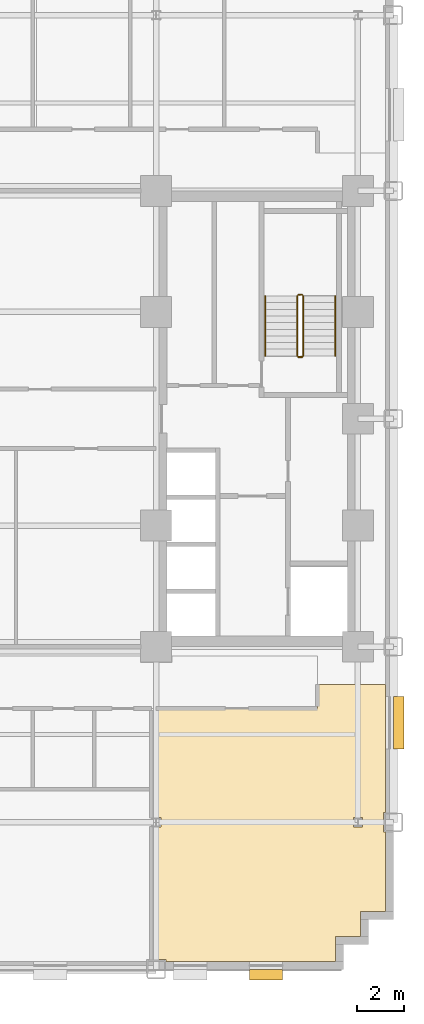
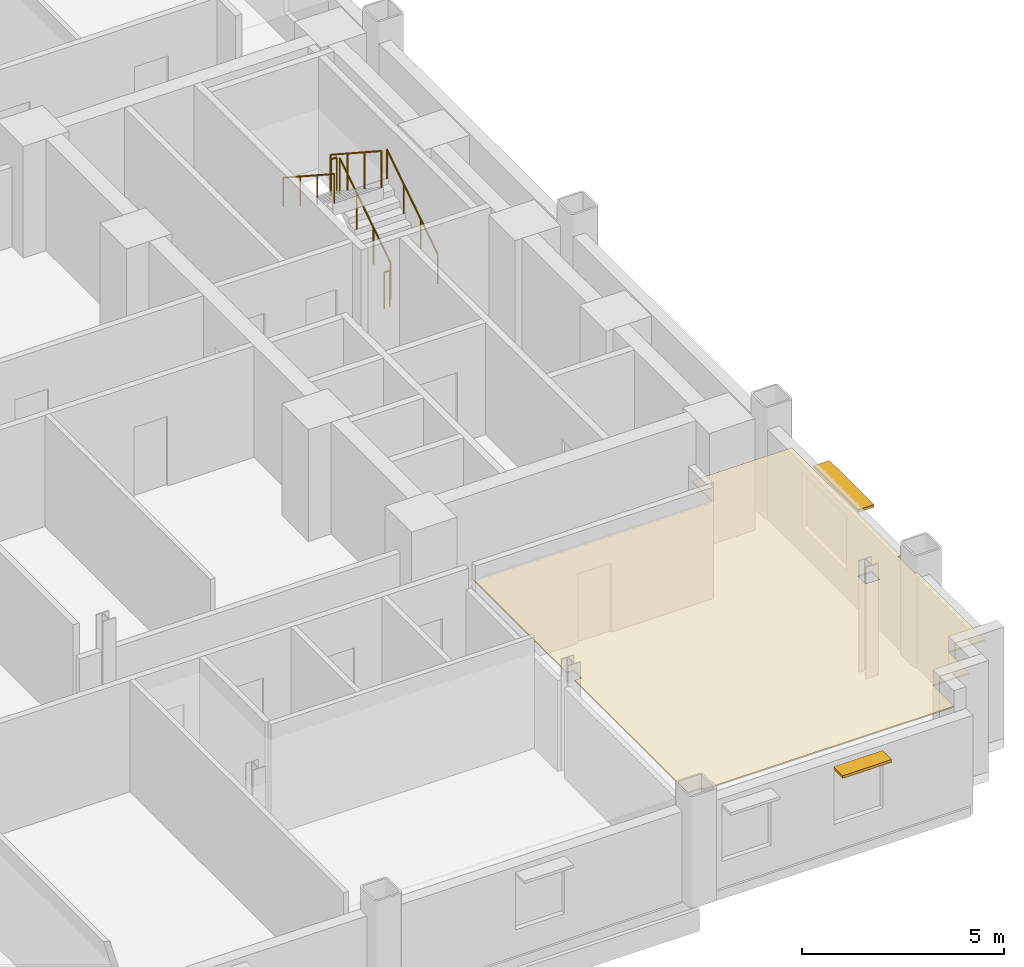
# One storey, part 11 of 12: 6 railings, 2 shading devices, 1 covering.
"""IFC4 building model written with IfcOpenShell, lengths in metres."""

from ifc_helpers import new_model, si_unit, direction, frame, origin, origin_2d, place, context, subcontext, project, spatial, polyline, rectangle, circle, outline, extrude, source, transform, mapped, material, layer, layer_set, type_object, type_shapes, element, save


model = new_model("IFC4")

# Units and contexts
model_context = context("Model", 3, precision=1e-05, world=origin(), true_north=direction((0.0, 1.0)))
body_context = subcontext(model_context, "Body", "Model", "MODEL_VIEW")
ifc_project = project(units=[si_unit("LENGTHUNIT", "METRE"), si_unit("AREAUNIT", "SQUARE_METRE"), si_unit("VOLUMEUNIT", "CUBIC_METRE"), si_unit("PLANEANGLEUNIT", "RADIAN"), si_unit("MASSUNIT", "GRAM", prefix="KILO")], contexts=[model_context])

# Site, building, storey
site_placement = place(None, origin())
site = spatial("IfcSite", under=ifc_project, at=site_placement, CompositionType="ELEMENT")
building_placement = place(site_placement, origin())
building = spatial("IfcBuilding", under=site, at=building_placement, Name="Nuvemarco Arch Tower", CompositionType="ELEMENT")
storey_placement = place(building_placement, frame((0.0, 0.0, 31.25)))
storey = spatial("IfcBuildingStorey", under=building, at=storey_placement, Name="L07", CompositionType="ELEMENT", Elevation=31.25)

# Covering
ifc_material_1 = material(Name="Mineral acoustic ceiling tile")
ifc_layer = layer(ifc_material_1, 0.0400390625, Name="COV-ACOUSTIC-CLG")
ifc_layer_set = layer_set([ifc_layer], Name="Mineral acoustic ceiling tile")
covering_type = type_object("IfcCoveringType", Name="COV-ACOUSTIC-CLG", PredefinedType="CEILING", material=ifc_layer_set)
covering_placement = place(storey_placement, frame((0.0, 0.0, 2.85009765625)))
element("IfcCovering", 1, at=covering_placement, inside=storey, type_object=covering_type, Name="L07 suspended acoustic ceiling 2", PredefinedType="CEILING", context=body_context, shape_type="SweptSolid", body=[
    extrude(outline(polyline([(16.56005859375, -22.860107421875), (9.4150390625, -22.860107421875), (9.4150390625, -22.784912109375), (9.0, -22.784912109375), (9.0, -17.195068359375), (9.195068359375, -17.195068359375), (9.195068359375, -16.804931640625), (9.0, -16.804931640625), (9.0, -12.199951171875), (15.800048828125, -12.199951171875), (15.800048828125, -11.199951171875), (18.659912109375, -11.199951171875), (18.659912109375, -16.5849609375), (18.5849609375, -16.5849609375), (18.5849609375, -17.4150390625), (18.659912109375, -17.4150390625), (18.659912109375, -20.760009765625), (17.610107421875, -20.760009765625), (17.610107421875, -21.81005859375), (16.56005859375, -21.81005859375), (16.56005859375, -22.860107421875)]), holes=[polyline([(17.695068359375, -17.195068359375), (17.695068359375, -16.804931640625), (17.304931640625, -16.804931640625), (17.304931640625, -17.195068359375), (17.695068359375, -17.195068359375)])]), origin(), (0.0, 0.0, 1.0), 0.039794921875),
])

# Railings
ifc_material_2 = material(Name="Brushed stainless steel handrail", Category="steel")
railing_type_1 = type_object("IfcRailingType", Name="RL-HANDRAIL-900", PredefinedType="HANDRAIL", material=ifc_material_2)
railing_1_placement = place(storey_placement, frame((16.550048828125, 2.64990234375, 0.1826171875)))
element("IfcRailing", 2, at=railing_1_placement, inside=storey, type_object=railing_type_1, Name="L07 ST-2 stair handrail 1", PredefinedType="HANDRAIL", context=body_context, shape_type="SweptSolid", body=[
    extrude(circle(Radius=0.02392578125, at=origin_2d()), frame((0.0, 0.0, 0.8759765625), z_axis=(0.0, 0.837786554691, 0.545997883492), x_axis=(-1.0, 0.0, 0.0)), (0.0, 0.0, 1.0), 3.008056640625),
    extrude(circle(Radius=0.02099609375, at=origin_2d()), origin(), (0.0, 0.0, 1.0), 0.851806640625),
    extrude(circle(Radius=0.02099609375, at=origin_2d()), frame((0.0, 0.840087890625, 0.54736328125)), (0.0, 0.0, 1.0), 0.851806640625),
    extrude(circle(Radius=0.02099609375, at=origin_2d()), frame((0.0, 1.679931640625, 1.094970703125)), (0.0, 0.0, 1.0), 0.851806640625),
    extrude(circle(Radius=0.02099609375, at=origin_2d()), frame((0.0, 2.52001953125, 1.642333984375)), (0.0, 0.0, 1.0), 0.851806640625),
])
railing_2_placement = place(storey_placement, frame((13.590087890625, 5.169921875, 2.007568359375)))
element("IfcRailing", 3, at=railing_2_placement, inside=storey, type_object=railing_type_1, Name="L07 ST-2 stair handrail 2", PredefinedType="HANDRAIL", context=body_context, shape_type="SweptSolid", body=[
    extrude(circle(Radius=0.02392578125, at=origin_2d()), frame((0.0, 0.0, 0.8759765625), z_axis=(0.0, -0.837786554691, 0.545997883492), x_axis=(1.0, 0.0, 0.0)), (0.0, 0.0, 1.0), 3.008056640625),
    extrude(circle(Radius=0.02099609375, at=origin_2d()), origin(), (0.0, 0.0, 1.0), 0.851806640625),
    extrude(circle(Radius=0.02099609375, at=origin_2d()), frame((0.0, -0.840087890625, 0.54736328125)), (0.0, 0.0, 1.0), 0.851806640625),
    extrude(circle(Radius=0.02099609375, at=origin_2d()), frame((0.0, -1.679931640625, 1.094970703125)), (0.0, 0.0, 1.0), 0.851806640625),
    extrude(circle(Radius=0.02099609375, at=origin_2d()), frame((0.0, -2.52001953125, 1.642333984375)), (0.0, 0.0, 1.0), 0.851806640625),
])
ifc_material_3 = material(Name="Painted balustrade steel S355", Category="steel")
railing_type_2 = type_object("IfcRailingType", Name="RL-STAIR-GUARD", PredefinedType="GUARDRAIL", material=ifc_material_3)
railing_3_placement = place(storey_placement, frame((15.199951171875, 2.64990234375, 0.1826171875)))
element("IfcRailing", 4, at=railing_3_placement, inside=storey, type_object=railing_type_2, Name="L07 ST-2 stair guard 1", PredefinedType="GUARDRAIL", context=body_context, shape_type="SweptSolid", body=[
    extrude(circle(Radius=0.02392578125, at=origin_2d()), frame((0.0, 0.0, 1.09619140625), z_axis=(0.0, 0.837786554691, 0.545997883492), x_axis=(-1.0, 0.0, 0.0)), (0.0, 0.0, 1.0), 3.008056640625),
    extrude(circle(Radius=0.02099609375, at=origin_2d()), origin(), (0.0, 0.0, 1.0), 1.072021484375),
    extrude(circle(Radius=0.02099609375, at=origin_2d()), frame((0.0, 0.840087890625, 0.54736328125)), (0.0, 0.0, 1.0), 1.072021484375),
    extrude(circle(Radius=0.02099609375, at=origin_2d()), frame((0.0, 1.679931640625, 1.094970703125)), (0.0, 0.0, 1.0), 1.072021484375),
    extrude(circle(Radius=0.02099609375, at=origin_2d()), frame((0.0, 2.52001953125, 1.642333984375)), (0.0, 0.0, 1.0), 1.072021484375),
])
railing_4_placement = place(storey_placement, frame((15.14990234375, 5.219970703125, 1.824951171875)))
element("IfcRailing", 5, at=railing_4_placement, inside=storey, type_object=railing_type_2, Name="L07 ST-2 stair guard 2", PredefinedType="GUARDRAIL", context=body_context, shape_type="SweptSolid", body=[
    extrude(circle(Radius=0.02392578125, at=origin_2d()), frame((0.0, 0.0, 1.09619140625), z_axis=(-1.0, 0.0, 0.0), x_axis=(0.0, -1.0, 0.0)), (0.0, 0.0, 1.0), 0.159912109375),
    extrude(circle(Radius=0.02099609375, at=origin_2d()), origin(), (0.0, 0.0, 1.0), 1.072021484375),
    extrude(circle(Radius=0.02099609375, at=origin_2d()), frame((-0.159912109375, 0.0, 0.0)), (0.0, 0.0, 1.0), 1.072021484375),
])
railing_5_placement = place(storey_placement, frame((14.93994140625, 5.169921875, 2.007568359375)))
element("IfcRailing", 6, at=railing_5_placement, inside=storey, type_object=railing_type_2, Name="L07 ST-2 stair guard 3", PredefinedType="GUARDRAIL", context=body_context, shape_type="SweptSolid", body=[
    extrude(circle(Radius=0.02392578125, at=origin_2d()), frame((0.0, 0.0, 1.09619140625), z_axis=(0.0, -0.837786554691, 0.545997883492), x_axis=(1.0, 0.0, 0.0)), (0.0, 0.0, 1.0), 3.008056640625),
    extrude(circle(Radius=0.02099609375, at=origin_2d()), origin(), (0.0, 0.0, 1.0), 1.072021484375),
    extrude(circle(Radius=0.02099609375, at=origin_2d()), frame((0.0, -0.840087890625, 0.54736328125)), (0.0, 0.0, 1.0), 1.072021484375),
    extrude(circle(Radius=0.02099609375, at=origin_2d()), frame((0.0, -1.679931640625, 1.094970703125)), (0.0, 0.0, 1.0), 1.072021484375),
    extrude(circle(Radius=0.02099609375, at=origin_2d()), frame((0.0, -2.52001953125, 1.642333984375)), (0.0, 0.0, 1.0), 1.072021484375),
])
railing_6_placement = place(storey_placement, frame((15.14990234375, 2.60009765625, 0.0)))
element("IfcRailing", 7, at=railing_6_placement, inside=storey, type_object=railing_type_2, Name="L07 ST-2 stair guard 4", PredefinedType="GUARDRAIL", context=body_context, shape_type="SweptSolid", body=[
    extrude(circle(Radius=0.02392578125, at=origin_2d()), frame((0.0, 0.0, 1.09619140625), z_axis=(-1.0, 0.0, 0.0), x_axis=(0.0, -1.0, 0.0)), (0.0, 0.0, 1.0), 0.159912109375),
    extrude(circle(Radius=0.02099609375, at=origin_2d()), origin(), (0.0, 0.0, 1.0), 1.072021484375),
    extrude(circle(Radius=0.02099609375, at=origin_2d()), frame((-0.159912109375, 0.0, 0.0)), (0.0, 0.0, 1.0), 1.072021484375),
])

# Shading devices
ifc_material_4 = material(Name="Anodised aluminium 6063-T6", Category="aluminium")
shading_device_type_1 = type_object("IfcShadingDeviceType", Name="SHD-BRISE-SOLEIL", PredefinedType="USERDEFINED", material=ifc_material_4)
shared_shape_1 = source(origin(), body_context, "Body", "SweptSolid", [
    extrude(rectangle(XDim=2.199951171875, YDim=0.449951171875, at=origin_2d()), origin(), (0.0, 0.0, 1.0), 0.080078125),
])
type_shapes(shading_device_type_1, [shared_shape_1])
shading_device_1_placement = place(storey_placement, frame((19.215087890625, -12.802490234375, 2.455078125), z_axis=(0.0, 0.0, 1.0), x_axis=(0.0, 1.0, 0.0)))
element("IfcShadingDevice", 8, at=shading_device_1_placement, inside=storey, type_object=shading_device_type_1, Name="L07 horizontal brise-soleil sunshade", ObjectType="SUNSHADE", PredefinedType="USERDEFINED", context=body_context, shape_type="MappedRepresentation", body=[
    mapped(shared_shape_1, transform((0.0, 0.0, 0.0), scale=1.0)),
])
shading_device_type_2 = type_object("IfcShadingDeviceType", Name="SHD-BRISE-NARROW", PredefinedType="USERDEFINED", material=ifc_material_4)
shared_shape_2 = source(origin(), body_context, "Body", "SweptSolid", [
    extrude(rectangle(XDim=1.39990234375, YDim=0.449951171875, at=origin_2d()), origin(), (0.0, 0.0, 1.0), 0.080078125),
])
type_shapes(shading_device_type_2, [shared_shape_2])
shading_device_2_placement = place(storey_placement, frame((13.628662109375, -23.4150390625, 2.455078125), z_axis=(0.0, 0.0, 1.0), x_axis=(1.0, 0.0, 0.0)))
element("IfcShadingDevice", 9, at=shading_device_2_placement, inside=storey, type_object=shading_device_type_2, Name="L07 horizontal brise-soleil sunshade", ObjectType="SUNSHADE", PredefinedType="USERDEFINED", context=body_context, shape_type="MappedRepresentation", body=[
    mapped(shared_shape_2, transform((0.0, 0.0, 0.0), scale=1.0)),
])

save(model, "model.ifc")
